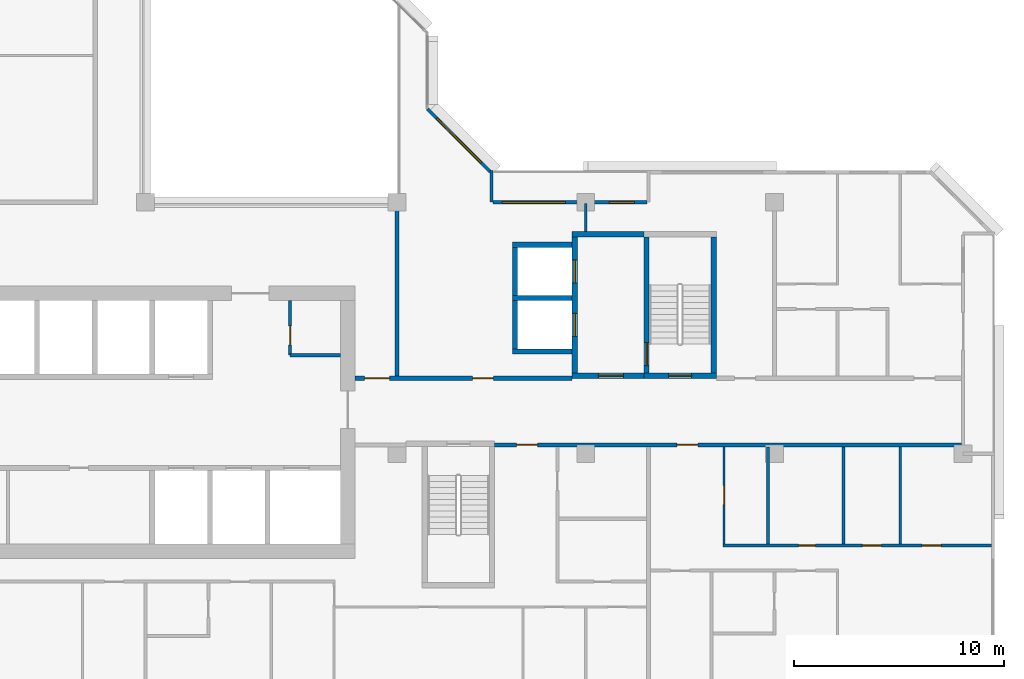
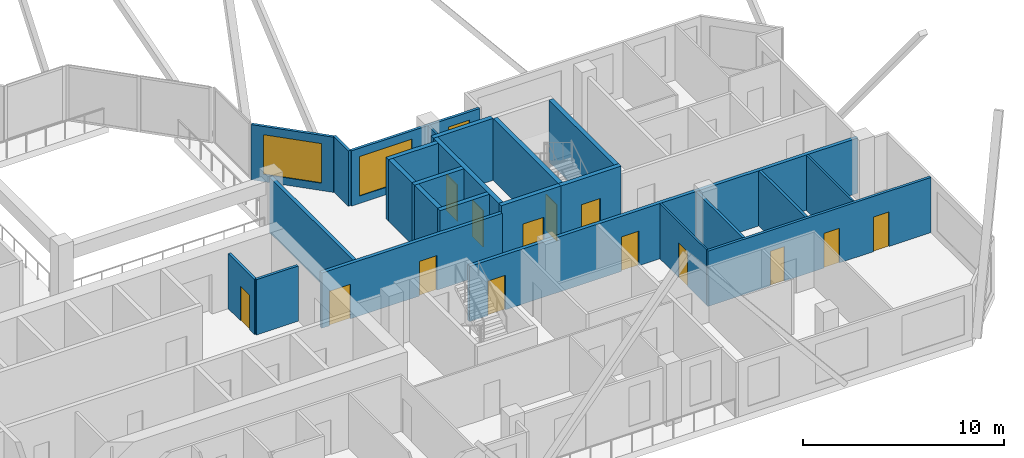
# One storey, part 7 of 15: 25 walls, 14 doors, 3 windows, 17 openings.
"""IFC4 building model written with IfcOpenShell, lengths in metres."""

from ifc_helpers import new_model, si_unit, direction, frame, frame_2d, origin, place, context, subcontext, project, spatial, rectangle, extrude, material, layer, layer_set, type_object, element, fill, save


model = new_model("IFC4")

# Units and contexts
model_context = context("Model", 3, precision=1e-05, world=origin(), true_north=direction((0.0, 1.0)))
body_context = subcontext(model_context, "Body", "Model", "MODEL_VIEW")
ifc_project = project(units=[si_unit("LENGTHUNIT", "METRE"), si_unit("AREAUNIT", "SQUARE_METRE"), si_unit("VOLUMEUNIT", "CUBIC_METRE"), si_unit("PLANEANGLEUNIT", "RADIAN"), si_unit("MASSUNIT", "GRAM", prefix="KILO")], contexts=[model_context])

# Site, building, storey
site_placement = place(None, origin())
site = spatial("IfcSite", under=ifc_project, at=site_placement, CompositionType="ELEMENT")
building_placement = place(site_placement, origin())
building = spatial("IfcBuilding", under=site, at=building_placement, Name="Chenar Terraces", CompositionType="ELEMENT")
storey_placement = place(building_placement, frame((0.0, 0.0, 245.39990234375)))
storey = spatial("IfcBuildingStorey", under=building, at=storey_placement, Name="L58", CompositionType="ELEMENT", Elevation=245.39990234375)

# Wall, opening, door
ifc_material_1 = material(Name="Gypsum board on steel studs", Category="steel")
ifc_layer_1 = layer(ifc_material_1, 0.14990234375)
ifc_layer_set_1 = layer_set([ifc_layer_1], Name="Gypsum board on steel studs")
wall_type_1 = type_object("IfcWallType", Name="Core partition 150 gypsum board", PredefinedType="PARTITIONING", material=ifc_layer_set_1)
wall_1_placement = place(storey_placement, frame((30.89990234375, 16.699951171875, 0.0), z_axis=(0.0, 0.0, 1.0), x_axis=(0.0, 1.0, 0.0)))
wall_1 = element("IfcWall", 1, at=wall_1_placement, inside=storey, type_object=wall_type_1, Name="Core partition CP1 vestibule room west wall", PredefinedType="PARTITIONING", context=body_context, shape_type="SweptSolid", body=[
    extrude(rectangle(XDim=2.60009765625, YDim=0.14990234375, at=frame_2d((1.300048828125, 0.0))), origin(), (0.0, 0.0, 1.0), 3.35009765625),
])
opening_1_placement = place(wall_1_placement, frame((0.5, 0.0, 0.0)))
opening_1 = element("IfcOpeningElement", 2, at=opening_1_placement, cuts=wall_1, Name="Opening DL58-C14", PredefinedType="OPENING", context=body_context, shape_type="SweptSolid", body=[
    extrude(rectangle(XDim=0.89990234375, YDim=2.10009765625, at=frame_2d((0.449951171875, 1.050048828125))), frame((0.0, 0.0849609375, 0.0), z_axis=(0.0, -1.0, 0.0), x_axis=(1.0, 0.0, 0.0)), (0.0, 0.0, 1.0), 0.169921875),
])
ifc_material_2 = material(Name="Steel-framed fire-resisting door leaf", Category="steel")
door_type_1 = type_object("IfcDoorType", Name="Riser fire door FD60 900 x 2100", OperationType="SINGLE_SWING_LEFT", PredefinedType="DOOR", material=ifc_material_2)
door_1_placement = place(opening_1_placement, frame((0.89990234375, 0.0, 0.0), z_axis=(0.0, 0.0, 1.0), x_axis=(-1.0, 0.0, 0.0)))
door_1 = element("IfcDoor", 3, at=door_1_placement, inside=storey, type_object=door_type_1, Name="Core room door DL58-C14", OperationType="SINGLE_SWING_RIGHT", OverallHeight=2.10009765625, OverallWidth=0.89990234375, PredefinedType="DOOR", context=body_context, shape_type="SweptSolid", body=[
    extrude(rectangle(XDim=0.89990234375, YDim=2.10009765625, at=frame_2d((0.449951171875, 1.050048828125))), frame((0.0, 0.02490234375, 0.0), z_axis=(0.0, -1.0, 0.0), x_axis=(1.0, 0.0, 0.0)), (0.0, 0.0, 1.0), 0.050048828125),
])
fill(opening_1, door_1)

# Wall
wall_2_placement = place(storey_placement, frame((30.89990234375, 16.699951171875, 0.0), z_axis=(0.0, 0.0, 1.0), x_axis=(1.0, 0.0, 0.0)))
element("IfcWall", 4, at=wall_2_placement, inside=storey, type_object=wall_type_1, Name="Core partition CP1 vestibule room south wall", PredefinedType="PARTITIONING", context=body_context, shape_type="SweptSolid", body=[
    extrude(rectangle(XDim=2.400146484375, YDim=0.14990234375, at=frame_2d((1.2001953125, 0.0))), origin(), (0.0, 0.0, 1.0), 3.35009765625),
])

# Wall, opening, door
ifc_material_3 = material(Name="Concrete C60/75", Category="concrete")
ifc_layer_2 = layer(ifc_material_3, 0.25)
ifc_layer_set_2 = layer_set([ifc_layer_2], Name="Concrete C60/75")
wall_type_2 = type_object("IfcWallType", Name="Core wall 250 Concrete C60/75", PredefinedType="SHEAR", material=ifc_layer_set_2)
wall_3_placement = place(storey_placement, frame((47.77490234375, 15.72509765625, 0.0), z_axis=(0.0, 0.0, 1.0), x_axis=(1.0, 0.0, 0.0)))
wall_3 = element("IfcWall", 5, at=wall_3_placement, inside=storey, type_object=wall_type_2, Name="Core wall ST3_S L58", PredefinedType="SHEAR", context=body_context, shape_type="SweptSolid", body=[
    extrude(rectangle(XDim=3.4501953125, YDim=0.25, at=frame_2d((1.72509765625, 0.0))), origin(), (0.0, 0.0, 1.0), 3.75),
])
opening_2_placement = place(wall_3_placement, frame((1.175048828125, 0.0, 0.0)))
opening_2 = element("IfcOpeningElement", 6, at=opening_2_placement, cuts=wall_3, Name="Opening DL58-C8", PredefinedType="OPENING", context=body_context, shape_type="SweptSolid", body=[
    extrude(rectangle(XDim=1.10009765625, YDim=2.199951171875, at=frame_2d((0.550048828125, 1.10009765625))), frame((0.0, 0.135009765625, 0.0), z_axis=(0.0, -1.0, 0.0), x_axis=(1.0, 0.0, 0.0)), (0.0, 0.0, 1.0), 0.27001953125),
])
ifc_material_4 = material(Name="Steel-framed fire-resisting door leaf", Category="steel")
door_type_2 = type_object("IfcDoorType", Name="Stair fire door FD60 1100 x 2200", OperationType="SINGLE_SWING_LEFT", PredefinedType="DOOR", material=ifc_material_4)
door_2_placement = place(opening_2_placement, frame((1.10009765625, 0.0, 0.0), z_axis=(0.0, 0.0, 1.0), x_axis=(-1.0, 0.0, 0.0)))
door_2 = element("IfcDoor", 7, at=door_2_placement, inside=storey, type_object=door_type_2, Name="Stair door DL58-C8", OperationType="SINGLE_SWING_LEFT", OverallHeight=2.199951171875, OverallWidth=1.10009765625, PredefinedType="DOOR", context=body_context, shape_type="SweptSolid", body=[
    extrude(rectangle(XDim=1.10009765625, YDim=2.199951171875, at=frame_2d((0.550048828125, 1.10009765625))), frame((0.0, 0.02490234375, 0.0), z_axis=(0.0, -1.0, 0.0), x_axis=(1.0, 0.0, 0.0)), (0.0, 0.0, 1.0), 0.050048828125),
])
fill(opening_2, door_2)

wall_4_placement = place(storey_placement, frame((47.89990234375, 15.85009765625, 0.0), z_axis=(0.0, 0.0, 1.0), x_axis=(0.0, 1.0, 0.0)))
wall_4 = element("IfcWall", 8, at=wall_4_placement, inside=storey, type_object=wall_type_2, Name="Core wall ST3_W L58", PredefinedType="SHEAR", context=body_context, shape_type="SweptSolid", body=[
    extrude(rectangle(XDim=6.5, YDim=0.25, at=frame_2d((3.25, 0.0))), origin(), (0.0, 0.0, 1.0), 3.75),
])
opening_3_placement = place(wall_4_placement, frame((0.35009765625, 0.0, 0.0)))
opening_3 = element("IfcOpeningElement", 9, at=opening_3_placement, cuts=wall_4, Name="Opening DL58-C11", PredefinedType="OPENING", context=body_context, shape_type="SweptSolid", body=[
    extrude(rectangle(XDim=1.10009765625, YDim=2.199951171875, at=frame_2d((0.550048828125, 1.10009765625))), frame((0.0, 0.135009765625, 0.0), z_axis=(0.0, -1.0, 0.0), x_axis=(1.0, 0.0, 0.0)), (0.0, 0.0, 1.0), 0.27001953125),
])
door_3_placement = place(opening_3_placement, frame((1.10009765625, 0.0, 0.0), z_axis=(0.0, 0.0, 1.0), x_axis=(-1.0, 0.0, 0.0)))
door_3 = element("IfcDoor", 10, at=door_3_placement, inside=storey, type_object=door_type_2, Name="Stair door DL58-C11", OperationType="SINGLE_SWING_RIGHT", OverallHeight=2.199951171875, OverallWidth=1.10009765625, PredefinedType="DOOR", context=body_context, shape_type="SweptSolid", body=[
    extrude(rectangle(XDim=1.10009765625, YDim=2.199951171875, at=frame_2d((0.550048828125, 1.10009765625))), frame((0.0, 0.02490234375, 0.0), z_axis=(0.0, -1.0, 0.0), x_axis=(1.0, 0.0, 0.0)), (0.0, 0.0, 1.0), 0.050048828125),
])
fill(opening_3, door_3)

# Wall
wall_5_placement = place(storey_placement, frame((51.10009765625, 15.85009765625, 0.0), z_axis=(0.0, 0.0, 1.0), x_axis=(0.0, 1.0, 0.0)))
element("IfcWall", 11, at=wall_5_placement, inside=storey, type_object=wall_type_2, Name="Core wall ST3_E L58", PredefinedType="SHEAR", context=body_context, shape_type="SweptSolid", body=[
    extrude(rectangle(XDim=6.5, YDim=0.25, at=frame_2d((3.25, 0.0))), origin(), (0.0, 0.0, 1.0), 3.75),
])

# Wall, opening, door
wall_6_placement = place(storey_placement, frame((44.35009765625, 15.72509765625, 0.0), z_axis=(0.0, 0.0, 1.0), x_axis=(1.0, 0.0, 0.0)))
wall_6 = element("IfcWall", 12, at=wall_6_placement, inside=storey, type_object=wall_type_2, Name="Core wall F3_LS L58", PredefinedType="SHEAR", context=body_context, shape_type="SweptSolid", body=[
    extrude(rectangle(XDim=3.4248046875, YDim=0.25, at=frame_2d((1.71240234375, 0.0))), origin(), (0.0, 0.0, 1.0), 3.75),
])
opening_4_placement = place(wall_6_placement, frame((1.25, 0.0, 0.0)))
opening_4 = element("IfcOpeningElement", 13, at=opening_4_placement, cuts=wall_6, Name="Opening DL58-C10", PredefinedType="OPENING", context=body_context, shape_type="SweptSolid", body=[
    extrude(rectangle(XDim=1.199951171875, YDim=2.199951171875, at=frame_2d((0.60009765625, 1.10009765625))), frame((0.0, 0.135009765625, 0.0), z_axis=(0.0, -1.0, 0.0), x_axis=(1.0, 0.0, 0.0)), (0.0, 0.0, 1.0), 0.27001953125),
])
ifc_material_5 = material(Name="Steel-framed fire-resisting door leaf", Category="steel")
door_type_3 = type_object("IfcDoorType", Name="Lobby fire door FD60 1200 x 2200", OperationType="SINGLE_SWING_LEFT", PredefinedType="DOOR", material=ifc_material_5)
door_4_placement = place(opening_4_placement, origin())
door_4 = element("IfcDoor", 14, at=door_4_placement, inside=storey, type_object=door_type_3, Name="Core door DL58-C10", OperationType="SINGLE_SWING_RIGHT", OverallHeight=2.199951171875, OverallWidth=1.199951171875, PredefinedType="DOOR", context=body_context, shape_type="SweptSolid", body=[
    extrude(rectangle(XDim=1.199951171875, YDim=2.199951171875, at=frame_2d((0.60009765625, 1.10009765625))), frame((0.0, 0.02490234375, 0.0), z_axis=(0.0, -1.0, 0.0), x_axis=(1.0, 0.0, 0.0)), (0.0, 0.0, 1.0), 0.050048828125),
])
fill(opening_4, door_4)

# Wall
wall_7_placement = place(storey_placement, frame((44.35009765625, 22.47509765625, 0.0), z_axis=(0.0, 0.0, 1.0), x_axis=(1.0, 0.0, 0.0)))
element("IfcWall", 15, at=wall_7_placement, inside=storey, type_object=wall_type_2, Name="Core wall F3_LN L58", PredefinedType="SHEAR", context=body_context, shape_type="SweptSolid", body=[
    extrude(rectangle(XDim=3.4248046875, YDim=0.25, at=frame_2d((1.71240234375, 0.0))), origin(), (0.0, 0.0, 1.0), 3.75),
])

# Wall, openings, doors
wall_8_placement = place(storey_placement, frame((44.47509765625, 15.85009765625, 0.0), z_axis=(0.0, 0.0, 1.0), x_axis=(0.0, 1.0, 0.0)))
wall_8 = element("IfcWall", 16, at=wall_8_placement, inside=storey, type_object=wall_type_2, Name="Core wall F3_LW L58", PredefinedType="SHEAR", context=body_context, shape_type="SweptSolid", body=[
    extrude(rectangle(XDim=6.5, YDim=0.25, at=frame_2d((3.25, 0.0))), origin(), (0.0, 0.0, 1.0), 3.75),
])
opening_5_placement = place(wall_8_placement, frame((1.75, 0.0, 0.0)))
opening_5 = element("IfcOpeningElement", 17, at=opening_5_placement, cuts=wall_8, Name="Opening DL58-LD8", PredefinedType="OPENING", context=body_context, shape_type="SweptSolid", body=[
    extrude(rectangle(XDim=1.10009765625, YDim=2.199951171875, at=frame_2d((0.550048828125, 1.10009765625))), frame((0.0, 0.135009765625, 0.0), z_axis=(0.0, -1.0, 0.0), x_axis=(1.0, 0.0, 0.0)), (0.0, 0.0, 1.0), 0.27001953125),
])
opening_6_placement = place(wall_8_placement, frame((4.300048828125, 0.0, 0.0)))
opening_6 = element("IfcOpeningElement", 18, at=opening_6_placement, cuts=wall_8, Name="Opening DL58-LD9", PredefinedType="OPENING", context=body_context, shape_type="SweptSolid", body=[
    extrude(rectangle(XDim=1.10009765625, YDim=2.199951171875, at=frame_2d((0.550048828125, 1.10009765625))), frame((0.0, 0.135009765625, 0.0), z_axis=(0.0, -1.0, 0.0), x_axis=(1.0, 0.0, 0.0)), (0.0, 0.0, 1.0), 0.27001953125),
])
ifc_material_6 = material(Name="Stainless steel", Category="steel")
door_type_4 = type_object("IfcDoorType", Name="Lift landing door 1100 x 2200 sliding", OperationType="DOUBLE_DOOR_SLIDING", PredefinedType="DOOR", material=ifc_material_6)
door_5_placement = place(opening_5_placement, origin())
door_5 = element("IfcDoor", 19, at=door_5_placement, inside=storey, type_object=door_type_4, Name="Landing door F3", OperationType="DOUBLE_DOOR_SLIDING", OverallHeight=2.199951171875, OverallWidth=1.10009765625, PredefinedType="DOOR", context=body_context, shape_type="SweptSolid", body=[
    extrude(rectangle(XDim=1.10009765625, YDim=2.199951171875, at=frame_2d((0.550048828125, 1.10009765625))), frame((0.0, 0.02490234375, 0.0), z_axis=(0.0, -1.0, 0.0), x_axis=(1.0, 0.0, 0.0)), (0.0, 0.0, 1.0), 0.050048828125),
])
fill(opening_5, door_5)
door_6_placement = place(opening_6_placement, origin())
door_6 = element("IfcDoor", 20, at=door_6_placement, inside=storey, type_object=door_type_4, Name="Landing door F4", OperationType="DOUBLE_DOOR_SLIDING", OverallHeight=2.199951171875, OverallWidth=1.10009765625, PredefinedType="DOOR", context=body_context, shape_type="SweptSolid", body=[
    extrude(rectangle(XDim=1.10009765625, YDim=2.199951171875, at=frame_2d((0.550048828125, 1.10009765625))), frame((0.0, 0.02490234375, 0.0), z_axis=(0.0, -1.0, 0.0), x_axis=(1.0, 0.0, 0.0)), (0.0, 0.0, 1.0), 0.050048828125),
])
fill(opening_6, door_6)

# Walls
for number, where, z_axis, x_axis, name in (
    (21, (41.5, 16.875, 0.0), (0.0, 0.0, 1.0), (1.0, 0.0, 0.0), "Core wall F3_SS L58"),
    (22, (41.5, 19.425048828125, 0.0), (0.0, 0.0, 1.0), (1.0, 0.0, 0.0), "Core wall F3_SM L58"),
    (23, (41.5, 21.97509765625, 0.0), (0.0, 0.0, 1.0), (1.0, 0.0, 0.0), "Core wall F4_SN L58"),
):
    element("IfcWall", number, at=place(storey_placement, frame(where, z_axis=z_axis, x_axis=x_axis)), inside=storey, type_object=wall_type_2, Name=name, PredefinedType="SHEAR", context=body_context, shape_type="SweptSolid", body=[
        extrude(rectangle(XDim=2.85009765625, YDim=0.25, at=frame_2d((1.425048828125, 0.0))), origin(), (0.0, 0.0, 1.0), 3.75),
    ])
for number, where, z_axis, x_axis, name in (
    (24, (41.625, 17.0, 0.0), (0.0, 0.0, 1.0), (0.0, 1.0, 0.0), "Core wall F3_SW L58"),
    (25, (41.625, 19.550048828125, 0.0), (0.0, 0.0, 1.0), (0.0, 1.0, 0.0), "Core wall F4_SW L58"),
):
    element("IfcWall", number, at=place(storey_placement, frame(where, z_axis=z_axis, x_axis=x_axis)), inside=storey, type_object=wall_type_2, Name=name, PredefinedType="SHEAR", context=body_context, shape_type="SweptSolid", body=[
        extrude(rectangle(XDim=2.300048828125, YDim=0.25, at=frame_2d((1.14990234375, 0.0))), origin(), (0.0, 0.0, 1.0), 3.75),
    ])

# Wall, openings, doors
ifc_material_7 = material(Name="Gypsum board on steel studs with fire boards", Category="steel")
ifc_layer_3 = layer(ifc_material_7, 0.199951171875)
ifc_layer_set_3 = layer_set([ifc_layer_3], Name="Gypsum board on steel studs with fire boards")
wall_type_3 = type_object("IfcWallType", Name="Corridor wall 200", PredefinedType="PARTITIONING", material=ifc_layer_set_3)
wall_9_placement = place(storey_placement, frame((34.0, 15.60009765625, 0.0), z_axis=(0.0, 0.0, 1.0), x_axis=(1.0, 0.0, 0.0)))
wall_9 = element("IfcWall", 26, at=wall_9_placement, inside=storey, type_object=wall_type_3, Name="Partition L58-065", PredefinedType="PARTITIONING", context=body_context, shape_type="SweptSolid", body=[
    extrude(rectangle(XDim=10.35009765625, YDim=0.199951171875, at=frame_2d((5.175048828125, 0.0))), origin(), (0.0, 0.0, 1.0), 3.35009765625),
])
opening_7_placement = place(wall_9_placement, frame((5.60009765625, 0.0, 0.0)))
opening_7 = element("IfcOpeningElement", 27, at=opening_7_placement, cuts=wall_9, Name="Opening DL58-3", PredefinedType="OPENING", context=body_context, shape_type="SweptSolid", body=[
    extrude(rectangle(XDim=1.0, YDim=2.10009765625, at=frame_2d((0.5, 1.050048828125))), frame((0.0, 0.10986328125, 0.0), z_axis=(0.0, -1.0, 0.0), x_axis=(1.0, 0.0, 0.0)), (0.0, 0.0, 1.0), 0.219970703125),
])
opening_8_placement = place(wall_9_placement, frame((0.449951171875, 0.0, 0.0)))
opening_8 = element("IfcOpeningElement", 28, at=opening_8_placement, cuts=wall_9, Name="Opening DL58-41", PredefinedType="OPENING", context=body_context, shape_type="SweptSolid", body=[
    extrude(rectangle(XDim=1.199951171875, YDim=2.10009765625, at=frame_2d((0.60009765625, 1.050048828125))), frame((0.0, 0.10986328125, 0.0), z_axis=(0.0, -1.0, 0.0), x_axis=(1.0, 0.0, 0.0)), (0.0, 0.0, 1.0), 0.219970703125),
])
ifc_material_8 = material(Name="Steel-framed fire-resisting door leaf", Category="steel")
door_type_5 = type_object("IfcDoorType", Name="Fire door FD60 1000 x 2100", OperationType="SINGLE_SWING_LEFT", PredefinedType="DOOR", material=ifc_material_8)
door_7_placement = place(opening_7_placement, origin())
door_7 = element("IfcDoor", 29, at=door_7_placement, inside=storey, type_object=door_type_5, Name="Door DL58-3", OperationType="SINGLE_SWING_RIGHT", OverallHeight=2.10009765625, OverallWidth=1.0, PredefinedType="DOOR", context=body_context, shape_type="SweptSolid", body=[
    extrude(rectangle(XDim=1.0, YDim=2.10009765625, at=frame_2d((0.5, 1.050048828125))), frame((0.0, 0.02490234375, 0.0), z_axis=(0.0, -1.0, 0.0), x_axis=(1.0, 0.0, 0.0)), (0.0, 0.0, 1.0), 0.050048828125),
])
fill(opening_7, door_7)
ifc_material_9 = material(Name="Steel-framed fire-resisting door leaf", Category="steel")
door_type_6 = type_object("IfcDoorType", Name="Fire door FD60 1200 x 2100", OperationType="SINGLE_SWING_LEFT", PredefinedType="DOOR", material=ifc_material_9)
door_8_placement = place(opening_8_placement, origin())
door_8 = element("IfcDoor", 30, at=door_8_placement, inside=storey, type_object=door_type_6, Name="Door DL58-41", OperationType="SINGLE_SWING_RIGHT", OverallHeight=2.10009765625, OverallWidth=1.199951171875, PredefinedType="DOOR", context=body_context, shape_type="SweptSolid", body=[
    extrude(rectangle(XDim=1.199951171875, YDim=2.10009765625, at=frame_2d((0.60009765625, 1.050048828125))), frame((0.0, 0.02490234375, 0.0), z_axis=(0.0, -1.0, 0.0), x_axis=(1.0, 0.0, 0.0)), (0.0, 0.0, 1.0), 0.050048828125),
])
fill(opening_8, door_8)

# Wall
wall_10_placement = place(storey_placement, frame((36.0, 15.699951171875, 0.0), z_axis=(0.0, 0.0, 1.0), x_axis=(0.0, 1.0, 0.0)))
element("IfcWall", 31, at=wall_10_placement, inside=storey, type_object=wall_type_3, Name="Partition L58-066", PredefinedType="PARTITIONING", context=body_context, shape_type="SweptSolid", body=[
    extrude(rectangle(XDim=8.300048828125, YDim=0.199951171875, at=frame_2d((4.14990234375, 0.0))), origin(), (0.0, 0.0, 1.0), 3.35009765625),
])

# Wall, openings, doors
wall_11_placement = place(storey_placement, frame((40.64990234375, 12.425048828125, 0.0), z_axis=(0.0, 0.0, 1.0), x_axis=(1.0, 0.0, 0.0)))
wall_11 = element("IfcWall", 32, at=wall_11_placement, inside=storey, type_object=wall_type_3, Name="Partition L58-067", PredefinedType="PARTITIONING", context=body_context, shape_type="SweptSolid", body=[
    extrude(rectangle(XDim=22.276123046875, YDim=0.199951171875, at=frame_2d((11.13818359375, 0.0))), origin(), (0.0, 0.0, 1.0), 3.35009765625),
])
opening_9_placement = place(wall_11_placement, frame((8.699951171875, 0.0, 0.0)))
opening_9 = element("IfcOpeningElement", 33, at=opening_9_placement, cuts=wall_11, Name="Opening DL58-14", PredefinedType="OPENING", context=body_context, shape_type="SweptSolid", body=[
    extrude(rectangle(XDim=1.0, YDim=2.10009765625, at=frame_2d((0.5, 1.050048828125))), frame((0.0, 0.10986328125, 0.0), z_axis=(0.0, -1.0, 0.0), x_axis=(1.0, 0.0, 0.0)), (0.0, 0.0, 1.0), 0.219970703125),
])
opening_10_placement = place(wall_11_placement, frame((1.050048828125, 0.0, 0.0)))
opening_10 = element("IfcOpeningElement", 34, at=opening_10_placement, cuts=wall_11, Name="Opening DL58-56", PredefinedType="OPENING", context=body_context, shape_type="SweptSolid", body=[
    extrude(rectangle(XDim=1.0, YDim=2.10009765625, at=frame_2d((0.5, 1.050048828125))), frame((0.0, 0.10986328125, 0.0), z_axis=(0.0, -1.0, 0.0), x_axis=(1.0, 0.0, 0.0)), (0.0, 0.0, 1.0), 0.219970703125),
])
ifc_material_10 = material(Name="Steel-framed fire-resisting door leaf", Category="steel")
door_type_7 = type_object("IfcDoorType", Name="Fire door FD30S 1000 x 2100", OperationType="SINGLE_SWING_LEFT", PredefinedType="DOOR", material=ifc_material_10)
door_9_placement = place(opening_9_placement, frame((1.0, 0.0, 0.0), z_axis=(0.0, 0.0, 1.0), x_axis=(-1.0, 0.0, 0.0)))
door_9 = element("IfcDoor", 35, at=door_9_placement, inside=storey, type_object=door_type_7, Name="Door DL58-14", OperationType="SINGLE_SWING_RIGHT", OverallHeight=2.10009765625, OverallWidth=1.0, PredefinedType="DOOR", context=body_context, shape_type="SweptSolid", body=[
    extrude(rectangle(XDim=1.0, YDim=2.10009765625, at=frame_2d((0.5, 1.050048828125))), frame((0.0, 0.02490234375, 0.0), z_axis=(0.0, -1.0, 0.0), x_axis=(1.0, 0.0, 0.0)), (0.0, 0.0, 1.0), 0.050048828125),
])
fill(opening_9, door_9)
door_10_placement = place(opening_10_placement, origin())
door_10 = element("IfcDoor", 36, at=door_10_placement, inside=storey, type_object=door_type_7, Name="Door DL58-56", OperationType="SINGLE_SWING_LEFT", OverallHeight=2.10009765625, OverallWidth=1.0, PredefinedType="DOOR", context=body_context, shape_type="SweptSolid", body=[
    extrude(rectangle(XDim=1.0, YDim=2.10009765625, at=frame_2d((0.5, 1.050048828125))), frame((0.0, 0.02490234375, 0.0), z_axis=(0.0, -1.0, 0.0), x_axis=(1.0, 0.0, 0.0)), (0.0, 0.0, 1.0), 0.050048828125),
])
fill(opening_10, door_10)

# Wall, openings, windows
ifc_material_11 = material(Name="Aluminium framed glazing", Category="aluminium")
ifc_layer_4 = layer(ifc_material_11, 0.14990234375)
ifc_layer_set_4 = layer_set([ifc_layer_4], Name="Aluminium framed glazing")
wall_type_4 = type_object("IfcWallType", Name="Glazed loggia back wall 150", PredefinedType="SOLIDWALL", material=ifc_layer_set_4)
wall_12_placement = place(storey_placement, frame((47.925048828125, 24.0, 0.0), z_axis=(0.0, 0.0, 1.0), x_axis=(-1.0, 0.0, 0.0)))
wall_12 = element("IfcWall", 37, at=wall_12_placement, inside=storey, type_object=wall_type_4, Name="Glazed loggia back wall", PredefinedType="SOLIDWALL", context=body_context, shape_type="SweptSolid", body=[
    extrude(rectangle(XDim=7.35009765625, YDim=0.14990234375, at=frame_2d((3.675048828125, 0.0))), origin(), (0.0, 0.0, 1.0), 3.35009765625),
])
opening_11_placement = place(wall_12_placement, frame((0.60009765625, 0.0, 0.449951171875)))
opening_11 = element("IfcOpeningElement", 38, at=opening_11_placement, cuts=wall_12, Name="Opening W120x240", PredefinedType="OPENING", context=body_context, shape_type="SweptSolid", body=[
    extrude(rectangle(XDim=1.199951171875, YDim=2.39990234375, at=frame_2d((0.60009765625, 1.199951171875))), frame((0.0, 0.0849609375, 0.0), z_axis=(0.0, -1.0, 0.0), x_axis=(1.0, 0.0, 0.0)), (0.0, 0.0, 1.0), 0.169921875),
])
opening_12_placement = place(wall_12_placement, frame((3.89990234375, 0.0, 0.449951171875)))
opening_12 = element("IfcOpeningElement", 39, at=opening_12_placement, cuts=wall_12, Name="Opening W300x240", PredefinedType="OPENING", context=body_context, shape_type="SweptSolid", body=[
    extrude(rectangle(XDim=3.0, YDim=2.39990234375, at=frame_2d((1.5, 1.199951171875))), frame((0.0, 0.0849609375, 0.0), z_axis=(0.0, -1.0, 0.0), x_axis=(1.0, 0.0, 0.0)), (0.0, 0.0, 1.0), 0.169921875),
])
ifc_material_12 = material(Name="Low emissivity double glazing, aluminium frame", Category="aluminium")
window_type_1 = type_object("IfcWindowType", Name="Fixed light 1200 x 2400", PartitioningType="SINGLE_PANEL", PredefinedType="WINDOW", material=ifc_material_12)
window_1_placement = place(opening_11_placement, origin())
window_1 = element("IfcWindow", 40, at=window_1_placement, inside=storey, type_object=window_type_1, Name="Window", OverallHeight=2.39990234375, OverallWidth=1.199951171875, PartitioningType="SINGLE_PANEL", PredefinedType="WINDOW", context=body_context, shape_type="SweptSolid", body=[
    extrude(rectangle(XDim=1.199951171875, YDim=2.39990234375, at=frame_2d((0.60009765625, 1.199951171875))), frame((0.0, 0.030029296875, 0.0), z_axis=(0.0, -1.0, 0.0), x_axis=(1.0, 0.0, 0.0)), (0.0, 0.0, 1.0), 0.06005859375),
])
fill(opening_11, window_1)
ifc_material_13 = material(Name="Low emissivity double glazing, aluminium frame", Category="aluminium")
window_type_2 = type_object("IfcWindowType", Name="Fixed light 3000 x 2400", PartitioningType="SINGLE_PANEL", PredefinedType="WINDOW", material=ifc_material_13)
window_2_placement = place(opening_12_placement, origin())
window_2 = element("IfcWindow", 41, at=window_2_placement, inside=storey, type_object=window_type_2, Name="Window", OverallHeight=2.39990234375, OverallWidth=3.0, PartitioningType="SINGLE_PANEL", PredefinedType="WINDOW", context=body_context, shape_type="SweptSolid", body=[
    extrude(rectangle(XDim=3.0, YDim=2.39990234375, at=frame_2d((1.5, 1.199951171875))), frame((0.0, 0.030029296875, 0.0), z_axis=(0.0, -1.0, 0.0), x_axis=(1.0, 0.0, 0.0)), (0.0, 0.0, 1.0), 0.06005859375),
])
fill(opening_12, window_2)

# Wall
ifc_material_14 = material(Name="Gypsum board on steel studs", Category="steel")
ifc_layer_5 = layer(ifc_material_14, 0.10009765625)
ifc_layer_set_5 = layer_set([ifc_layer_5], Name="Gypsum board on steel studs")
wall_type_5 = type_object("IfcWallType", Name="Gypsum partition 100", PredefinedType="PARTITIONING", material=ifc_layer_set_5)
wall_13_placement = place(storey_placement, frame((45.0, 22.60009765625, 0.0), z_axis=(0.0, 0.0, 1.0), x_axis=(0.0, 1.0, 0.0)))
element("IfcWall", 42, at=wall_13_placement, inside=storey, type_object=wall_type_5, Name="Partition L58-073", PredefinedType="PARTITIONING", context=body_context, shape_type="SweptSolid", body=[
    extrude(rectangle(XDim=1.325927734375, YDim=0.10009765625, at=frame_2d((0.6630859375, 0.0))), origin(), (0.0, 0.0, 1.0), 3.35009765625),
])

# Wall, opening, door
wall_14_placement = place(storey_placement, frame((51.60009765625, 7.699951171875, 0.0), z_axis=(0.0, 0.0, 1.0), x_axis=(0.0, 1.0, 0.0)))
wall_14 = element("IfcWall", 43, at=wall_14_placement, inside=storey, type_object=wall_type_5, Name="Partition L58-080", PredefinedType="PARTITIONING", context=body_context, shape_type="SweptSolid", body=[
    extrude(rectangle(XDim=4.625, YDim=0.10009765625, at=frame_2d((2.3125, 0.0))), origin(), (0.0, 0.0, 1.0), 3.35009765625),
])
opening_13_placement = place(wall_14_placement, frame((1.875, 0.0, 0.0)))
opening_13 = element("IfcOpeningElement", 44, at=opening_13_placement, cuts=wall_14, Name="Opening DL58-13", PredefinedType="OPENING", context=body_context, shape_type="SweptSolid", body=[
    extrude(rectangle(XDim=0.89990234375, YDim=2.10009765625, at=frame_2d((0.449951171875, 1.050048828125))), frame((0.0, 0.06005859375, 0.0), z_axis=(0.0, -1.0, 0.0), x_axis=(1.0, 0.0, 0.0)), (0.0, 0.0, 1.0), 0.1201171875),
])
ifc_material_15 = material(Name="Veneered timber door leaf", Category="wood")
door_type_8 = type_object("IfcDoorType", Name="Door 900 x 2100", OperationType="SINGLE_SWING_LEFT", PredefinedType="DOOR", material=ifc_material_15)
door_11_placement = place(opening_13_placement, frame((0.89990234375, 0.0, 0.0), z_axis=(0.0, 0.0, 1.0), x_axis=(-1.0, 0.0, 0.0)))
door_11 = element("IfcDoor", 45, at=door_11_placement, inside=storey, type_object=door_type_8, Name="Door DL58-13", OperationType="SINGLE_SWING_RIGHT", OverallHeight=2.10009765625, OverallWidth=0.89990234375, PredefinedType="DOOR", context=body_context, shape_type="SweptSolid", body=[
    extrude(rectangle(XDim=0.89990234375, YDim=2.10009765625, at=frame_2d((0.449951171875, 1.050048828125))), frame((0.0, 0.02490234375, 0.0), z_axis=(0.0, -1.0, 0.0), x_axis=(1.0, 0.0, 0.0)), (0.0, 0.0, 1.0), 0.050048828125),
])
fill(opening_13, door_11)

# Walls
wall_15_placement = place(storey_placement, frame((60.0, 7.699951171875, 0.0), z_axis=(0.0, 0.0, 1.0), x_axis=(0.0, 1.0, 0.0)))
element("IfcWall", 46, at=wall_15_placement, inside=storey, type_object=wall_type_5, Name="Partition L58-091", PredefinedType="PARTITIONING", context=body_context, shape_type="SweptSolid", body=[
    extrude(rectangle(XDim=4.625, YDim=0.10009765625, at=frame_2d((2.3125, 0.0))), origin(), (0.0, 0.0, 1.0), 3.35009765625),
])
ifc_material_16 = material(Name="Terracotta cladding on insulated backing", Category="masonry")
ifc_layer_6 = layer(ifc_material_16, 0.14990234375)
ifc_layer_set_6 = layer_set([ifc_layer_6], Name="Terracotta cladding on insulated backing")
wall_type_6 = type_object("IfcWallType", Name="Loggia return wall 150", PredefinedType="SOLIDWALL", material=ifc_layer_set_6)
wall_16_placement = place(storey_placement, frame((40.5, 25.5, 0.0), z_axis=(0.0, 0.0, 1.0), x_axis=(0.0, -1.0, 0.0)))
element("IfcWall", 47, at=wall_16_placement, inside=storey, type_object=wall_type_6, Name="Loggia return wall", PredefinedType="SOLIDWALL", context=body_context, shape_type="SweptSolid", body=[
    extrude(rectangle(XDim=1.5, YDim=0.14990234375, at=frame_2d((0.75, 0.0))), origin(), (0.0, 0.0, 1.0), 3.35009765625),
])

# Wall, opening, window
ifc_material_17 = material(Name="Terracotta cladding on insulated backing", Category="masonry")
ifc_layer_7 = layer(ifc_material_17, 0.14990234375)
ifc_layer_set_7 = layer_set([ifc_layer_7], Name="Terracotta cladding on insulated backing")
wall_type_7 = type_object("IfcWallType", Name="Terracotta rainscreen wall 150", PredefinedType="SOLIDWALL", material=ifc_layer_set_7)
wall_17_placement = place(storey_placement, frame((40.447021484375, 25.447021484375, 0.0), z_axis=(0.0, 0.0, 1.0), x_axis=(-0.707106781187, 0.707106781187, 0.0)))
wall_17 = element("IfcWall", 48, at=wall_17_placement, inside=storey, type_object=wall_type_7, Name="Terracotta rainscreen wall", PredefinedType="SOLIDWALL", context=body_context, shape_type="SweptSolid", body=[
    extrude(rectangle(XDim=4.24267578125, YDim=0.14990234375, at=frame_2d((2.121337890625, 0.0))), origin(), (0.0, 0.0, 1.0), 3.35009765625),
])
opening_14_placement = place(wall_17_placement, frame((0.621337890625, 0.0, 0.449951171875)))
opening_14 = element("IfcOpeningElement", 49, at=opening_14_placement, cuts=wall_17, Name="Opening W300x240", PredefinedType="OPENING", context=body_context, shape_type="SweptSolid", body=[
    extrude(rectangle(XDim=3.0, YDim=2.39990234375, at=frame_2d((1.5, 1.199951171875))), frame((0.0, 0.0849609375, 0.0), z_axis=(0.0, -1.0, 0.0), x_axis=(1.0, 0.0, 0.0)), (0.0, 0.0, 1.0), 0.169921875),
])
window_3_placement = place(opening_14_placement, origin())
window_3 = element("IfcWindow", 50, at=window_3_placement, inside=storey, type_object=window_type_2, Name="Window", OverallHeight=2.39990234375, OverallWidth=3.0, PartitioningType="SINGLE_PANEL", PredefinedType="WINDOW", context=body_context, shape_type="SweptSolid", body=[
    extrude(rectangle(XDim=3.0, YDim=2.39990234375, at=frame_2d((1.5, 1.199951171875))), frame((0.0, 0.030029296875, 0.0), z_axis=(0.0, -1.0, 0.0), x_axis=(1.0, 0.0, 0.0)), (0.0, 0.0, 1.0), 0.06005859375),
])
fill(opening_14, window_3)

# Wall, openings, doors
ifc_material_18 = material(Name="Moisture-resistant gypsum board on steel studs", Category="steel")
ifc_layer_8 = layer(ifc_material_18, 0.14990234375)
ifc_layer_set_8 = layer_set([ifc_layer_8], Name="Moisture-resistant gypsum board on steel studs")
wall_type_8 = type_object("IfcWallType", Name="Wet-room partition 150", PredefinedType="PARTITIONING", material=ifc_layer_set_8)
wall_18_placement = place(storey_placement, frame((51.550048828125, 7.625, 0.0), z_axis=(0.0, 0.0, 1.0), x_axis=(1.0, 0.0, 0.0)))
wall_18 = element("IfcWall", 51, at=wall_18_placement, inside=storey, type_object=wall_type_8, Name="Partition L58-079", PredefinedType="PARTITIONING", context=body_context, shape_type="SweptSolid", body=[
    extrude(rectangle(XDim=12.800048828125, YDim=0.14990234375, at=frame_2d((6.39990234375, 0.0))), origin(), (0.0, 0.0, 1.0), 3.35009765625),
])
opening_15_placement = place(wall_18_placement, frame((3.60009765625, 0.0, 0.0)))
opening_15 = element("IfcOpeningElement", 52, at=opening_15_placement, cuts=wall_18, Name="Opening DL58-9", PredefinedType="OPENING", context=body_context, shape_type="SweptSolid", body=[
    extrude(rectangle(XDim=0.800048828125, YDim=2.10009765625, at=frame_2d((0.39990234375, 1.050048828125))), frame((0.0, 0.0849609375, 0.0), z_axis=(0.0, -1.0, 0.0), x_axis=(1.0, 0.0, 0.0)), (0.0, 0.0, 1.0), 0.169921875),
])
opening_16_placement = place(wall_18_placement, frame((6.64990234375, 0.0, 0.0)))
opening_16 = element("IfcOpeningElement", 53, at=opening_16_placement, cuts=wall_18, Name="Opening DL58-15", PredefinedType="OPENING", context=body_context, shape_type="SweptSolid", body=[
    extrude(rectangle(XDim=0.89990234375, YDim=2.10009765625, at=frame_2d((0.449951171875, 1.050048828125))), frame((0.0, 0.0849609375, 0.0), z_axis=(0.0, -1.0, 0.0), x_axis=(1.0, 0.0, 0.0)), (0.0, 0.0, 1.0), 0.169921875),
])
opening_17_placement = place(wall_18_placement, frame((9.5, 0.0, 0.0)))
opening_17 = element("IfcOpeningElement", 54, at=opening_17_placement, cuts=wall_18, Name="Opening DL58-16", PredefinedType="OPENING", context=body_context, shape_type="SweptSolid", body=[
    extrude(rectangle(XDim=0.89990234375, YDim=2.10009765625, at=frame_2d((0.449951171875, 1.050048828125))), frame((0.0, 0.0849609375, 0.0), z_axis=(0.0, -1.0, 0.0), x_axis=(1.0, 0.0, 0.0)), (0.0, 0.0, 1.0), 0.169921875),
])
ifc_material_19 = material(Name="Veneered timber door leaf", Category="wood")
door_type_9 = type_object("IfcDoorType", Name="Door 800 x 2100", OperationType="SINGLE_SWING_LEFT", PredefinedType="DOOR", material=ifc_material_19)
door_12_placement = place(opening_15_placement, origin())
door_12 = element("IfcDoor", 55, at=door_12_placement, inside=storey, type_object=door_type_9, Name="Door DL58-9", OperationType="SINGLE_SWING_RIGHT", OverallHeight=2.10009765625, OverallWidth=0.800048828125, PredefinedType="DOOR", context=body_context, shape_type="SweptSolid", body=[
    extrude(rectangle(XDim=0.800048828125, YDim=2.10009765625, at=frame_2d((0.39990234375, 1.050048828125))), frame((0.0, 0.02490234375, 0.0), z_axis=(0.0, -1.0, 0.0), x_axis=(1.0, 0.0, 0.0)), (0.0, 0.0, 1.0), 0.050048828125),
])
fill(opening_15, door_12)
door_13_placement = place(opening_16_placement, origin())
door_13 = element("IfcDoor", 56, at=door_13_placement, inside=storey, type_object=door_type_8, Name="Door DL58-15", OperationType="SINGLE_SWING_RIGHT", OverallHeight=2.10009765625, OverallWidth=0.89990234375, PredefinedType="DOOR", context=body_context, shape_type="SweptSolid", body=[
    extrude(rectangle(XDim=0.89990234375, YDim=2.10009765625, at=frame_2d((0.449951171875, 1.050048828125))), frame((0.0, 0.02490234375, 0.0), z_axis=(0.0, -1.0, 0.0), x_axis=(1.0, 0.0, 0.0)), (0.0, 0.0, 1.0), 0.050048828125),
])
fill(opening_16, door_13)
door_14_placement = place(opening_17_placement, origin())
door_14 = element("IfcDoor", 57, at=door_14_placement, inside=storey, type_object=door_type_8, Name="Door DL58-16", OperationType="SINGLE_SWING_LEFT", OverallHeight=2.10009765625, OverallWidth=0.89990234375, PredefinedType="DOOR", context=body_context, shape_type="SweptSolid", body=[
    extrude(rectangle(XDim=0.89990234375, YDim=2.10009765625, at=frame_2d((0.449951171875, 1.050048828125))), frame((0.0, 0.02490234375, 0.0), z_axis=(0.0, -1.0, 0.0), x_axis=(1.0, 0.0, 0.0)), (0.0, 0.0, 1.0), 0.050048828125),
])
fill(opening_17, door_14)

# Walls
for number, where, z_axis, x_axis, name in (
    (58, (53.699951171875, 7.699951171875, 0.0), (0.0, 0.0, 1.0), (0.0, 1.0, 0.0), "Partition L58-081"),
    (59, (57.300048828125, 7.699951171875, 0.0), (0.0, 0.0, 1.0), (0.0, 1.0, 0.0), "Partition L58-089"),
):
    element("IfcWall", number, at=place(storey_placement, frame(where, z_axis=z_axis, x_axis=x_axis)), inside=storey, type_object=wall_type_8, Name=name, PredefinedType="PARTITIONING", context=body_context, shape_type="SweptSolid", body=[
        extrude(rectangle(XDim=4.625, YDim=0.14990234375, at=frame_2d((2.3125, 0.0))), origin(), (0.0, 0.0, 1.0), 3.35009765625),
    ])

save(model, "model.ifc")
